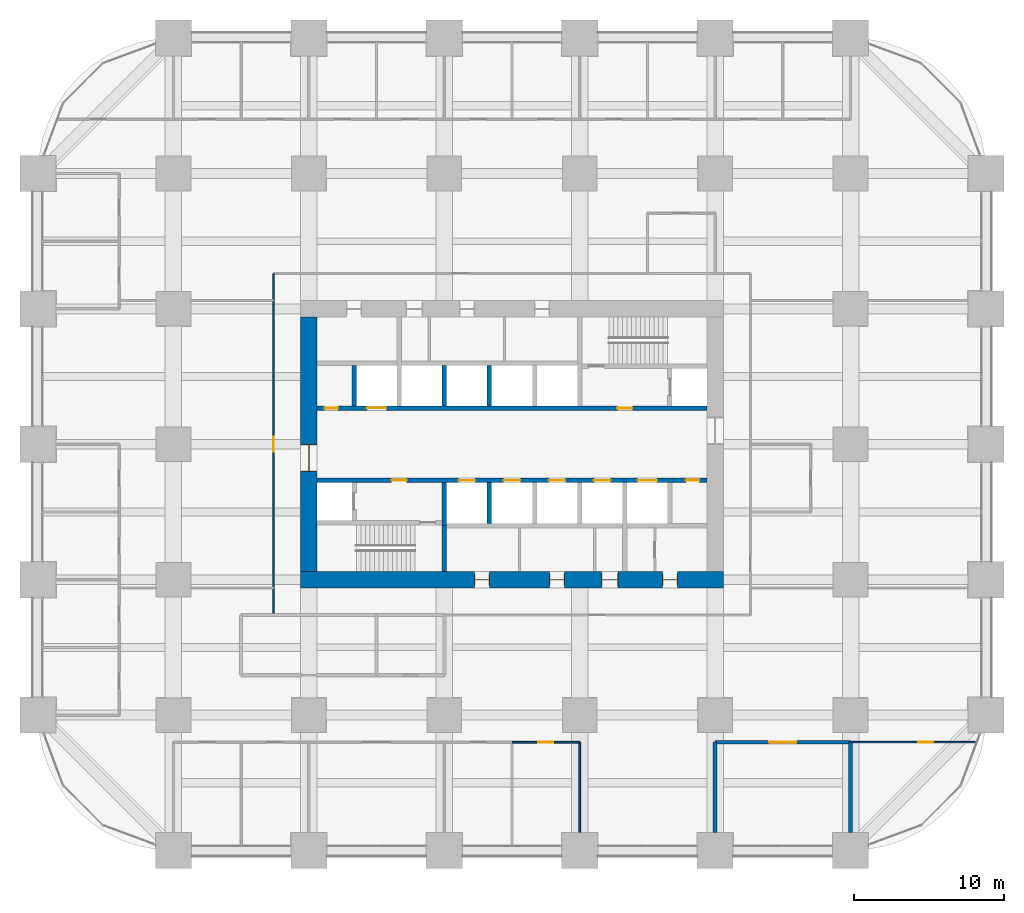
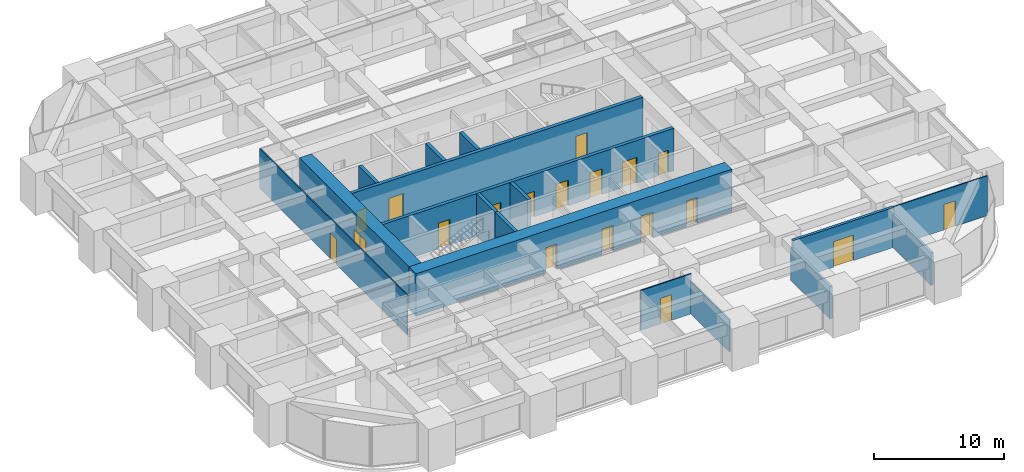
# One storey, part 40 of 44: 19 doors, 17 walls, 19 openings.
"""IFC4 building model written with IfcOpenShell, lengths in metres."""

from ifc_helpers import new_model, si_unit, direction, frame, frame_2d, origin, place, context, subcontext, project, spatial, rectangle, extrude, material, layer, layer_set, type_object, element, fill, save


model = new_model("IFC4")

# Units and contexts
model_context = context("Model", 3, precision=1e-05, world=origin(), true_north=direction((0.0, 1.0)))
body_context = subcontext(model_context, "Body", "Model", "MODEL_VIEW")
ifc_project = project(units=[si_unit("LENGTHUNIT", "METRE"), si_unit("AREAUNIT", "SQUARE_METRE"), si_unit("VOLUMEUNIT", "CUBIC_METRE"), si_unit("PLANEANGLEUNIT", "RADIAN"), si_unit("MASSUNIT", "GRAM", prefix="KILO")], contexts=[model_context])

# Site, building, storey
site_placement = place(None, origin())
site = spatial("IfcSite", under=ifc_project, at=site_placement, CompositionType="ELEMENT")
building_placement = place(site_placement, origin())
building = spatial("IfcBuilding", under=site, at=building_placement, Name="Zorevar Civic Tower", CompositionType="ELEMENT")
storey_placement = place(building_placement, frame((0.0, 0.0, 31.800048828125)))
storey = spatial("IfcBuildingStorey", under=building, at=storey_placement, Name="L07", CompositionType="ELEMENT", Elevation=31.800048828125)

# Wall, opening, door
ifc_material_1 = material(Name="Twin-stud acoustic wall, gypsum board")
ifc_layer_1 = layer(ifc_material_1, 0.25)
ifc_layer_set_1 = layer_set([ifc_layer_1], Name="Acoustic wall 250")
wall_type_1 = type_object("IfcWallType", Name="Acoustic wall 250", PredefinedType="PARTITIONING", material=ifc_layer_set_1)
wall_1_placement = place(storey_placement, frame((45.0, 7.199951171875, 0.0), z_axis=(0.0, 0.0, 1.0), x_axis=(1.0, 0.0, 0.0)))
wall_1 = element("IfcWall", 1, at=wall_1_placement, inside=storey, type_object=wall_type_1, Name="Acoustic wall 250 L07", PredefinedType="PARTITIONING", context=body_context, shape_type="SweptSolid", body=[
    extrude(rectangle(XDim=9.0, YDim=0.25, at=frame_2d((4.5, 0.0))), origin(), (0.0, 0.0, 1.0), 3.75),
])
opening_1_placement = place(wall_1_placement, frame((3.60009765625, 0.0, 0.0)))
opening_1 = element("IfcOpeningElement", 2, at=opening_1_placement, cuts=wall_1, Name="Opening L07.17", PredefinedType="OPENING", context=body_context, shape_type="SweptSolid", body=[
    extrude(rectangle(XDim=1.800048828125, YDim=2.39990234375, at=frame_2d((0.89990234375, 1.199951171875))), frame((0.0, 0.135009765625, 0.0), z_axis=(0.0, -1.0, 0.0), x_axis=(1.0, 0.0, 0.0)), (0.0, 0.0, 1.0), 0.27001953125),
])
ifc_material_2 = material(Name="Steel door set", Category="steel")
door_type_1 = type_object("IfcDoorType", Name="Door D2 1800x2400", OperationType="DOUBLE_DOOR_SINGLE_SWING", PredefinedType="DOOR", material=ifc_material_2)
door_1_placement = place(opening_1_placement, origin())
door_1 = element("IfcDoor", 3, at=door_1_placement, inside=storey, type_object=door_type_1, Name="Door L07 D1", OperationType="DOUBLE_DOOR_SINGLE_SWING", OverallHeight=2.39990234375, OverallWidth=1.800048828125, PredefinedType="DOOR", context=body_context, shape_type="SweptSolid", body=[
    extrude(rectangle(XDim=1.800048828125, YDim=2.39990234375, at=frame_2d((0.89990234375, 1.199951171875))), frame((0.0, 0.02490234375, 0.0), z_axis=(0.0, -1.0, 0.0), x_axis=(1.0, 0.0, 0.0)), (0.0, 0.0, 1.0), 0.050048828125),
])
fill(opening_1, door_1)

# Walls
for number, where, z_axis, x_axis, name in (
    (4, (45.0, 1.199951171875, 0.0), (0.0, 0.0, 1.0), (0.0, 1.0, 0.0), "Acoustic wall 250 L07"),
    (5, (54.0, 1.199951171875, 0.0), (0.0, 0.0, 1.0), (0.0, 1.0, 0.0), "Acoustic wall 250 L07"),
):
    element("IfcWall", number, at=place(storey_placement, frame(where, z_axis=z_axis, x_axis=x_axis)), inside=storey, type_object=wall_type_1, Name=name, PredefinedType="PARTITIONING", context=body_context, shape_type="SweptSolid", body=[
        extrude(rectangle(XDim=6.0, YDim=0.25, at=frame_2d((3.0, 0.0))), origin(), (0.0, 0.0, 1.0), 3.050048828125),
    ])

# Wall, openings, doors
ifc_material_3 = material(Name="Concrete C50/60", Category="concrete")
ifc_layer_2 = layer(ifc_material_3, 1.10009765625)
ifc_layer_set_2 = layer_set([ifc_layer_2], Name="Core wall 1100")
wall_type_2 = type_object("IfcWallType", Name="Core wall 1100", PredefinedType="SHEAR", material=ifc_layer_set_2)
wall_2_placement = place(storey_placement, frame((17.449951171875, 18.0, 0.0), z_axis=(0.0, 0.0, 1.0), x_axis=(1.0, 0.0, 0.0)))
wall_2 = element("IfcWall", 6, at=wall_2_placement, inside=storey, type_object=wall_type_2, Name="Core wall S L07", PredefinedType="SHEAR", context=body_context, shape_type="SweptSolid", body=[
    extrude(rectangle(XDim=28.10009765625, YDim=1.10009765625, at=frame_2d((14.050048828125, 0.0))), origin(), (0.0, 0.0, 1.0), 4.0),
])
opening_2_placement = place(wall_2_placement, frame((11.550048828125, 0.0, 0.0)))
opening_2 = element("IfcOpeningElement", 7, at=opening_2_placement, cuts=wall_2, Name="Opening L07.03", PredefinedType="OPENING", context=body_context, shape_type="SweptSolid", body=[
    extrude(rectangle(XDim=1.0, YDim=2.39990234375, at=frame_2d((0.5, 1.199951171875))), frame((0.0, 0.56005859375, 0.0), z_axis=(0.0, -1.0, 0.0), x_axis=(1.0, 0.0, 0.0)), (0.0, 0.0, 1.0), 1.1201171875),
])
opening_3_placement = place(wall_2_placement, frame((16.550048828125, 0.0, 0.0)))
opening_3 = element("IfcOpeningElement", 8, at=opening_3_placement, cuts=wall_2, Name="Opening L07.04", PredefinedType="OPENING", context=body_context, shape_type="SweptSolid", body=[
    extrude(rectangle(XDim=1.0, YDim=2.39990234375, at=frame_2d((0.5, 1.199951171875))), frame((0.0, 0.56005859375, 0.0), z_axis=(0.0, -1.0, 0.0), x_axis=(1.0, 0.0, 0.0)), (0.0, 0.0, 1.0), 1.1201171875),
])
opening_4_placement = place(wall_2_placement, frame((20.0, 0.0, 0.0)))
opening_4 = element("IfcOpeningElement", 9, at=opening_4_placement, cuts=wall_2, Name="Opening L07.05", PredefinedType="OPENING", context=body_context, shape_type="SweptSolid", body=[
    extrude(rectangle(XDim=1.10009765625, YDim=2.39990234375, at=frame_2d((0.550048828125, 1.199951171875))), frame((0.0, 0.56005859375, 0.0), z_axis=(0.0, -1.0, 0.0), x_axis=(1.0, 0.0, 0.0)), (0.0, 0.0, 1.0), 1.1201171875),
])
opening_5_placement = place(wall_2_placement, frame((24.050048828125, 0.0, 0.0)))
opening_5 = element("IfcOpeningElement", 10, at=opening_5_placement, cuts=wall_2, Name="Opening L07.06", PredefinedType="OPENING", context=body_context, shape_type="SweptSolid", body=[
    extrude(rectangle(XDim=1.0, YDim=2.39990234375, at=frame_2d((0.5, 1.199951171875))), frame((0.0, 0.56005859375, 0.0), z_axis=(0.0, -1.0, 0.0), x_axis=(1.0, 0.0, 0.0)), (0.0, 0.0, 1.0), 1.1201171875),
])
ifc_material_4 = material(Name="Timber door set", Category="wood")
door_type_2 = type_object("IfcDoorType", Name="Door D1 1000x2400", OperationType="SINGLE_SWING_LEFT", PredefinedType="DOOR", material=ifc_material_4)
door_2_placement = place(opening_2_placement, origin())
door_2 = element("IfcDoor", 11, at=door_2_placement, inside=storey, type_object=door_type_2, Name="Door L07 02", OperationType="SINGLE_SWING_RIGHT", OverallHeight=2.39990234375, OverallWidth=1.0, PredefinedType="DOOR", context=body_context, shape_type="SweptSolid", body=[
    extrude(rectangle(XDim=1.0, YDim=2.39990234375, at=frame_2d((0.5, 1.199951171875))), frame((0.0, 0.02490234375, 0.0), z_axis=(0.0, -1.0, 0.0), x_axis=(1.0, 0.0, 0.0)), (0.0, 0.0, 1.0), 0.050048828125),
    extrude(rectangle(XDim=0.04, YDim=2.39990234375, at=frame_2d((0.02001953125, 1.199951171875))), frame((0.0, 0.39990234375, 0.0), z_axis=(0.0, -1.0, 0.0), x_axis=(1.0, 0.0, 0.0)), (0.0, 0.0, 1.0), 0.800048828125),
    extrude(rectangle(XDim=0.04, YDim=2.39990234375, at=frame_2d((0.97998046875, 1.199951171875))), frame((0.0, 0.39990234375, 0.0), z_axis=(0.0, -1.0, 0.0), x_axis=(1.0, 0.0, 0.0)), (0.0, 0.0, 1.0), 0.800048828125),
    extrude(rectangle(XDim=1.0, YDim=0.04, at=frame_2d((0.5, 2.3798828125))), frame((0.0, 0.39990234375, 0.0), z_axis=(0.0, -1.0, 0.0), x_axis=(1.0, 0.0, 0.0)), (0.0, 0.0, 1.0), 0.800048828125),
])
fill(opening_2, door_2)
door_3_placement = place(opening_3_placement, origin())
door_3 = element("IfcDoor", 12, at=door_3_placement, inside=storey, type_object=door_type_2, Name="Door L07 03", OperationType="SINGLE_SWING_LEFT", OverallHeight=2.39990234375, OverallWidth=1.0, PredefinedType="DOOR", context=body_context, shape_type="SweptSolid", body=[
    extrude(rectangle(XDim=1.0, YDim=2.39990234375, at=frame_2d((0.5, 1.199951171875))), frame((0.0, 0.02490234375, 0.0), z_axis=(0.0, -1.0, 0.0), x_axis=(1.0, 0.0, 0.0)), (0.0, 0.0, 1.0), 0.050048828125),
    extrude(rectangle(XDim=0.04, YDim=2.39990234375, at=frame_2d((0.02001953125, 1.199951171875))), frame((0.0, 0.39990234375, 0.0), z_axis=(0.0, -1.0, 0.0), x_axis=(1.0, 0.0, 0.0)), (0.0, 0.0, 1.0), 0.800048828125),
    extrude(rectangle(XDim=0.04, YDim=2.39990234375, at=frame_2d((0.97998046875, 1.199951171875))), frame((0.0, 0.39990234375, 0.0), z_axis=(0.0, -1.0, 0.0), x_axis=(1.0, 0.0, 0.0)), (0.0, 0.0, 1.0), 0.800048828125),
    extrude(rectangle(XDim=1.0, YDim=0.04, at=frame_2d((0.5, 2.3798828125))), frame((0.0, 0.39990234375, 0.0), z_axis=(0.0, -1.0, 0.0), x_axis=(1.0, 0.0, 0.0)), (0.0, 0.0, 1.0), 0.800048828125),
])
fill(opening_3, door_3)
door_4_placement = place(opening_5_placement, origin())
door_4 = element("IfcDoor", 13, at=door_4_placement, inside=storey, type_object=door_type_2, Name="Door L07 05", OperationType="SINGLE_SWING_LEFT", OverallHeight=2.39990234375, OverallWidth=1.0, PredefinedType="DOOR", context=body_context, shape_type="SweptSolid", body=[
    extrude(rectangle(XDim=1.0, YDim=2.39990234375, at=frame_2d((0.5, 1.199951171875))), frame((0.0, 0.02490234375, 0.0), z_axis=(0.0, -1.0, 0.0), x_axis=(1.0, 0.0, 0.0)), (0.0, 0.0, 1.0), 0.050048828125),
    extrude(rectangle(XDim=0.04, YDim=2.39990234375, at=frame_2d((0.02001953125, 1.199951171875))), frame((0.0, 0.39990234375, 0.0), z_axis=(0.0, -1.0, 0.0), x_axis=(1.0, 0.0, 0.0)), (0.0, 0.0, 1.0), 0.800048828125),
    extrude(rectangle(XDim=0.04, YDim=2.39990234375, at=frame_2d((0.97998046875, 1.199951171875))), frame((0.0, 0.39990234375, 0.0), z_axis=(0.0, -1.0, 0.0), x_axis=(1.0, 0.0, 0.0)), (0.0, 0.0, 1.0), 0.800048828125),
    extrude(rectangle(XDim=1.0, YDim=0.04, at=frame_2d((0.5, 2.3798828125))), frame((0.0, 0.39990234375, 0.0), z_axis=(0.0, -1.0, 0.0), x_axis=(1.0, 0.0, 0.0)), (0.0, 0.0, 1.0), 0.800048828125),
])
fill(opening_5, door_4)
ifc_material_5 = material(Name="Timber door set", Category="wood")
door_type_3 = type_object("IfcDoorType", Name="Door D5 1100x2400", OperationType="SINGLE_SWING_LEFT", PredefinedType="DOOR", material=ifc_material_5)
door_5_placement = place(opening_4_placement, origin())
door_5 = element("IfcDoor", 14, at=door_5_placement, inside=storey, type_object=door_type_3, Name="Door L07 04", OperationType="SINGLE_SWING_LEFT", OverallHeight=2.39990234375, OverallWidth=1.10009765625, PredefinedType="DOOR", context=body_context, shape_type="SweptSolid", body=[
    extrude(rectangle(XDim=1.10009765625, YDim=2.39990234375, at=frame_2d((0.550048828125, 1.199951171875))), frame((0.0, 0.02490234375, 0.0), z_axis=(0.0, -1.0, 0.0), x_axis=(1.0, 0.0, 0.0)), (0.0, 0.0, 1.0), 0.050048828125),
    extrude(rectangle(XDim=0.04, YDim=2.39990234375, at=frame_2d((0.02001953125, 1.199951171875))), frame((0.0, 0.43994140625, 0.0), z_axis=(0.0, -1.0, 0.0), x_axis=(1.0, 0.0, 0.0)), (0.0, 0.0, 1.0), 0.880126953125),
    extrude(rectangle(XDim=0.04, YDim=2.39990234375, at=frame_2d((1.080078125, 1.199951171875))), frame((0.0, 0.43994140625, 0.0), z_axis=(0.0, -1.0, 0.0), x_axis=(1.0, 0.0, 0.0)), (0.0, 0.0, 1.0), 0.880126953125),
    extrude(rectangle(XDim=1.10009765625, YDim=0.04, at=frame_2d((0.550048828125, 2.3798828125))), frame((0.0, 0.43994140625, 0.0), z_axis=(0.0, -1.0, 0.0), x_axis=(1.0, 0.0, 0.0)), (0.0, 0.0, 1.0), 0.880126953125),
])
fill(opening_4, door_5)

# Wall, opening, door
wall_3_placement = place(storey_placement, frame((18.0, 35.449951171875, 0.0), z_axis=(0.0, 0.0, 1.0), x_axis=(0.0, -1.0, 0.0)))
wall_3 = element("IfcWall", 15, at=wall_3_placement, inside=storey, type_object=wall_type_2, Name="Core wall W L07", PredefinedType="SHEAR", context=body_context, shape_type="SweptSolid", body=[
    extrude(rectangle(XDim=16.89990234375, YDim=1.10009765625, at=frame_2d((8.449951171875, 0.0))), origin(), (0.0, 0.0, 1.0), 4.0),
])
opening_6_placement = place(wall_3_placement, frame((8.449951171875, 0.0, 0.0)))
opening_6 = element("IfcOpeningElement", 16, at=opening_6_placement, cuts=wall_3, Name="Opening L07.01", PredefinedType="OPENING", context=body_context, shape_type="SweptSolid", body=[
    extrude(rectangle(XDim=1.800048828125, YDim=2.39990234375, at=frame_2d((0.89990234375, 1.199951171875))), frame((0.0, 0.56005859375, 0.0), z_axis=(0.0, -1.0, 0.0), x_axis=(1.0, 0.0, 0.0)), (0.0, 0.0, 1.0), 1.1201171875),
])
ifc_material_6 = material(Name="Steel door set", Category="steel")
door_type_4 = type_object("IfcDoorType", Name="Fire door FD2 1800x2400", OperationType="DOUBLE_DOOR_DOUBLE_SWING", PredefinedType="DOOR", material=ifc_material_6)
door_6_placement = place(opening_6_placement, origin())
door_6 = element("IfcDoor", 17, at=door_6_placement, inside=storey, type_object=door_type_4, Name="Door L07 00", OperationType="DOUBLE_DOOR_DOUBLE_SWING", OverallHeight=2.39990234375, OverallWidth=1.800048828125, PredefinedType="DOOR", context=body_context, shape_type="SweptSolid", body=[
    extrude(rectangle(XDim=1.800048828125, YDim=2.39990234375, at=frame_2d((0.89990234375, 1.199951171875))), frame((0.0, 0.030029296875, 0.0), z_axis=(0.0, -1.0, 0.0), x_axis=(1.0, 0.0, 0.0)), (0.0, 0.0, 1.0), 0.06005859375),
    extrude(rectangle(XDim=0.04, YDim=2.39990234375, at=frame_2d((0.02001953125, 1.199951171875))), frame((0.0, 0.5498046875, 0.0), z_axis=(0.0, -1.0, 0.0), x_axis=(1.0, 0.0, 0.0)), (0.0, 0.0, 1.0), 1.099609375),
    extrude(rectangle(XDim=0.04, YDim=2.39990234375, at=frame_2d((1.780029296875, 1.199951171875))), frame((0.0, 0.5498046875, 0.0), z_axis=(0.0, -1.0, 0.0), x_axis=(1.0, 0.0, 0.0)), (0.0, 0.0, 1.0), 1.099609375),
    extrude(rectangle(XDim=1.800048828125, YDim=0.04, at=frame_2d((0.89990234375, 2.3798828125))), frame((0.0, 0.5498046875, 0.0), z_axis=(0.0, -1.0, 0.0), x_axis=(1.0, 0.0, 0.0)), (0.0, 0.0, 1.0), 1.099609375),
])
fill(opening_6, door_6)

ifc_material_7 = material(Name="Laminated glass in black aluminium frame", Category="aluminium")
ifc_layer_3 = layer(ifc_material_7, 0.10009765625)
ifc_layer_set_3 = layer_set([ifc_layer_3], Name="Glazed partition 100")
wall_type_3 = type_object("IfcWallType", Name="Glazed partition 100", PredefinedType="PARTITIONING", material=ifc_layer_set_3)
wall_4_placement = place(storey_placement, frame((54.0, 7.199951171875, 0.0), z_axis=(0.0, 0.0, 1.0), x_axis=(1.0, 0.0, 0.0)))
wall_4 = element("IfcWall", 18, at=wall_4_placement, inside=storey, type_object=wall_type_3, Name="Glazed partition 100 L07", PredefinedType="PARTITIONING", context=body_context, shape_type="SweptSolid", body=[
    extrude(rectangle(XDim=8.359375, YDim=0.10009765625, at=frame_2d((4.1796875, 0.0))), origin(), (0.0, 0.0, 1.0), 3.75),
])
opening_7_placement = place(wall_4_placement, frame((4.5, 0.0, 0.0)))
opening_7 = element("IfcOpeningElement", 19, at=opening_7_placement, cuts=wall_4, Name="Opening L07.23", PredefinedType="OPENING", context=body_context, shape_type="SweptSolid", body=[
    extrude(rectangle(XDim=1.0, YDim=2.39990234375, at=frame_2d((0.5, 1.199951171875))), frame((0.0, 0.06005859375, 0.0), z_axis=(0.0, -1.0, 0.0), x_axis=(1.0, 0.0, 0.0)), (0.0, 0.0, 1.0), 0.1201171875),
])
ifc_material_8 = material(Name="Timber door set", Category="wood")
door_type_5 = type_object("IfcDoorType", Name="Glazed door GD1 1000x2400", OperationType="SINGLE_SWING_LEFT", PredefinedType="DOOR", material=ifc_material_8)
door_7_placement = place(opening_7_placement, origin())
door_7 = element("IfcDoor", 20, at=door_7_placement, inside=storey, type_object=door_type_5, Name="Door L07 D1", OperationType="SINGLE_SWING_LEFT", OverallHeight=2.39990234375, OverallWidth=1.0, PredefinedType="DOOR", context=body_context, shape_type="SweptSolid", body=[
    extrude(rectangle(XDim=1.0, YDim=2.39990234375, at=frame_2d((0.5, 1.199951171875))), frame((0.0, 0.02001953125, 0.0), z_axis=(0.0, -1.0, 0.0), x_axis=(1.0, 0.0, 0.0)), (0.0, 0.0, 1.0), 0.0400390625),
])
fill(opening_7, door_7)

wall_5_placement = place(storey_placement, frame((15.64990234375, 15.64990234375, 0.0), z_axis=(0.0, 0.0, 1.0), x_axis=(0.0, 1.0, 0.0)))
wall_5 = element("IfcWall", 21, at=wall_5_placement, inside=storey, type_object=wall_type_3, Name="Glazed partition 100 L07", PredefinedType="PARTITIONING", context=body_context, shape_type="SweptSolid", body=[
    extrude(rectangle(XDim=22.7001953125, YDim=0.10009765625, at=frame_2d((11.35009765625, 0.0))), origin(), (0.0, 0.0, 1.0), 3.75),
])
opening_8_placement = place(wall_5_placement, frame((10.85009765625, 0.0, 0.0)))
opening_8 = element("IfcOpeningElement", 22, at=opening_8_placement, cuts=wall_5, Name="Opening L07.46", PredefinedType="OPENING", context=body_context, shape_type="SweptSolid", body=[
    extrude(rectangle(XDim=1.0, YDim=2.39990234375, at=frame_2d((0.5, 1.199951171875))), frame((0.0, 0.06005859375, 0.0), z_axis=(0.0, -1.0, 0.0), x_axis=(1.0, 0.0, 0.0)), (0.0, 0.0, 1.0), 0.1201171875),
])
door_8_placement = place(opening_8_placement, origin())
door_8 = element("IfcDoor", 23, at=door_8_placement, inside=storey, type_object=door_type_5, Name="Door L07 D1", OperationType="SINGLE_SWING_RIGHT", OverallHeight=2.39990234375, OverallWidth=1.0, PredefinedType="DOOR", context=body_context, shape_type="SweptSolid", body=[
    extrude(rectangle(XDim=1.0, YDim=2.39990234375, at=frame_2d((0.5, 1.199951171875))), frame((0.0, 0.02001953125, 0.0), z_axis=(0.0, -1.0, 0.0), x_axis=(1.0, 0.0, 0.0)), (0.0, 0.0, 1.0), 0.0400390625),
])
fill(opening_8, door_8)

# Wall
ifc_material_9 = material(Name="Concrete C40/50", Category="concrete")
ifc_layer_4 = layer(ifc_material_9, 0.300048828125)
ifc_layer_set_4 = layer_set([ifc_layer_4], Name="Inner core wall 300")
wall_type_4 = type_object("IfcWallType", Name="Inner core wall 300", PredefinedType="SHEAR", material=ifc_layer_set_4)
wall_6_placement = place(storey_placement, frame((27.0, 18.550048828125, 0.0), z_axis=(0.0, 0.0, 1.0), x_axis=(0.0, 1.0, 0.0)))
element("IfcWall", 24, at=wall_6_placement, inside=storey, type_object=wall_type_4, Name="Inner core wall S01 L07", PredefinedType="SHEAR", context=body_context, shape_type="SweptSolid", body=[
    extrude(rectangle(XDim=3.050048828125, YDim=0.300048828125, at=frame_2d((1.52490234375, 0.0))), origin(), (0.0, 0.0, 1.0), 4.0),
])

# Wall, openings, doors
wall_7_placement = place(storey_placement, frame((18.550048828125, 24.60009765625, 0.0), z_axis=(0.0, 0.0, 1.0), x_axis=(1.0, 0.0, 0.0)))
wall_7 = element("IfcWall", 25, at=wall_7_placement, inside=storey, type_object=wall_type_4, Name="Inner core wall S03 L07", PredefinedType="SHEAR", context=body_context, shape_type="SweptSolid", body=[
    extrude(rectangle(XDim=25.89990234375, YDim=0.300048828125, at=frame_2d((12.949951171875, 0.0))), origin(), (0.0, 0.0, 1.0), 4.0),
])
opening_9_placement = place(wall_7_placement, frame((4.949951171875, 0.0, 0.0)))
opening_9 = element("IfcOpeningElement", 26, at=opening_9_placement, cuts=wall_7, Name="Opening L07.13", PredefinedType="OPENING", context=body_context, shape_type="SweptSolid", body=[
    extrude(rectangle(XDim=1.0, YDim=2.39990234375, at=frame_2d((0.5, 1.199951171875))), frame((0.0, 0.159912109375, 0.0), z_axis=(0.0, -1.0, 0.0), x_axis=(1.0, 0.0, 0.0)), (0.0, 0.0, 1.0), 0.320068359375),
])
opening_10_placement = place(wall_7_placement, frame((24.5, 0.0, 0.0)))
opening_10 = element("IfcOpeningElement", 27, at=opening_10_placement, cuts=wall_7, Name="Opening L07.15", PredefinedType="OPENING", context=body_context, shape_type="SweptSolid", body=[
    extrude(rectangle(XDim=0.89990234375, YDim=2.10009765625, at=frame_2d((0.449951171875, 1.050048828125))), frame((0.0, 0.159912109375, 0.0), z_axis=(0.0, -1.0, 0.0), x_axis=(1.0, 0.0, 0.0)), (0.0, 0.0, 1.0), 0.320068359375),
])
opening_11_placement = place(wall_7_placement, frame((9.39990234375, 0.0, 0.0)))
opening_11 = element("IfcOpeningElement", 28, at=opening_11_placement, cuts=wall_7, Name="Opening L07.LP1", PredefinedType="OPENING", context=body_context, shape_type="SweptSolid", body=[
    extrude(rectangle(XDim=1.10009765625, YDim=2.39990234375, at=frame_2d((0.550048828125, 1.199951171875))), frame((0.0, 0.159912109375, 0.0), z_axis=(0.0, -1.0, 0.0), x_axis=(1.0, 0.0, 0.0)), (0.0, 0.0, 1.0), 0.320068359375),
])
opening_12_placement = place(wall_7_placement, frame((12.39990234375, 0.0, 0.0)))
opening_12 = element("IfcOpeningElement", 29, at=opening_12_placement, cuts=wall_7, Name="Opening L07.LP2", PredefinedType="OPENING", context=body_context, shape_type="SweptSolid", body=[
    extrude(rectangle(XDim=1.10009765625, YDim=2.39990234375, at=frame_2d((0.550048828125, 1.199951171875))), frame((0.0, 0.159912109375, 0.0), z_axis=(0.0, -1.0, 0.0), x_axis=(1.0, 0.0, 0.0)), (0.0, 0.0, 1.0), 0.320068359375),
])
opening_13_placement = place(wall_7_placement, frame((15.39990234375, 0.0, 0.0)))
opening_13 = element("IfcOpeningElement", 30, at=opening_13_placement, cuts=wall_7, Name="Opening L07.LP3", PredefinedType="OPENING", context=body_context, shape_type="SweptSolid", body=[
    extrude(rectangle(XDim=1.10009765625, YDim=2.39990234375, at=frame_2d((0.550048828125, 1.199951171875))), frame((0.0, 0.159912109375, 0.0), z_axis=(0.0, -1.0, 0.0), x_axis=(1.0, 0.0, 0.0)), (0.0, 0.0, 1.0), 0.320068359375),
])
opening_14_placement = place(wall_7_placement, frame((18.39990234375, 0.0, 0.0)))
opening_14 = element("IfcOpeningElement", 31, at=opening_14_placement, cuts=wall_7, Name="Opening L07.LP4", PredefinedType="OPENING", context=body_context, shape_type="SweptSolid", body=[
    extrude(rectangle(XDim=1.10009765625, YDim=2.39990234375, at=frame_2d((0.550048828125, 1.199951171875))), frame((0.0, 0.159912109375, 0.0), z_axis=(0.0, -1.0, 0.0), x_axis=(1.0, 0.0, 0.0)), (0.0, 0.0, 1.0), 0.320068359375),
])
opening_15_placement = place(wall_7_placement, frame((21.300048828125, 0.0, 0.0)))
opening_15 = element("IfcOpeningElement", 32, at=opening_15_placement, cuts=wall_7, Name="Opening L07.SL1", PredefinedType="OPENING", context=body_context, shape_type="SweptSolid", body=[
    extrude(rectangle(XDim=1.300048828125, YDim=2.39990234375, at=frame_2d((0.64990234375, 1.199951171875))), frame((0.0, 0.159912109375, 0.0), z_axis=(0.0, -1.0, 0.0), x_axis=(1.0, 0.0, 0.0)), (0.0, 0.0, 1.0), 0.320068359375),
])
ifc_material_10 = material(Name="Steel door set", Category="steel")
door_type_6 = type_object("IfcDoorType", Name="Fire door FD1 1000x2400", OperationType="SINGLE_SWING_LEFT", PredefinedType="DOOR", material=ifc_material_10)
door_9_placement = place(opening_9_placement, origin())
door_9 = element("IfcDoor", 33, at=door_9_placement, inside=storey, type_object=door_type_6, Name="Door L07 12", OperationType="SINGLE_SWING_RIGHT", OverallHeight=2.39990234375, OverallWidth=1.0, PredefinedType="DOOR", context=body_context, shape_type="SweptSolid", body=[
    extrude(rectangle(XDim=1.0, YDim=2.39990234375, at=frame_2d((0.5, 1.199951171875))), frame((0.0, 0.030029296875, 0.0), z_axis=(0.0, -1.0, 0.0), x_axis=(1.0, 0.0, 0.0)), (0.0, 0.0, 1.0), 0.06005859375),
])
fill(opening_9, door_9)
ifc_material_11 = material(Name="Steel door set", Category="steel")
door_type_7 = type_object("IfcDoorType", Name="Landing door LD1 1100x2400", OperationType="DOUBLE_DOOR_SLIDING", PredefinedType="DOOR", material=ifc_material_11)
door_10_placement = place(opening_11_placement, origin())
door_10 = element("IfcDoor", 34, at=door_10_placement, inside=storey, type_object=door_type_7, Name="Landing door LP1 L07", OperationType="DOUBLE_DOOR_SLIDING", OverallHeight=2.39990234375, OverallWidth=1.10009765625, PredefinedType="DOOR", context=body_context, shape_type="SweptSolid", body=[
    extrude(rectangle(XDim=1.10009765625, YDim=2.39990234375, at=frame_2d((0.550048828125, 1.199951171875))), frame((0.0, 0.02001953125, 0.0), z_axis=(0.0, -1.0, 0.0), x_axis=(1.0, 0.0, 0.0)), (0.0, 0.0, 1.0), 0.0400390625),
])
fill(opening_11, door_10)
door_11_placement = place(opening_12_placement, origin())
door_11 = element("IfcDoor", 35, at=door_11_placement, inside=storey, type_object=door_type_7, Name="Landing door LP2 L07", OperationType="DOUBLE_DOOR_SLIDING", OverallHeight=2.39990234375, OverallWidth=1.10009765625, PredefinedType="DOOR", context=body_context, shape_type="SweptSolid", body=[
    extrude(rectangle(XDim=1.10009765625, YDim=2.39990234375, at=frame_2d((0.550048828125, 1.199951171875))), frame((0.0, 0.02001953125, 0.0), z_axis=(0.0, -1.0, 0.0), x_axis=(1.0, 0.0, 0.0)), (0.0, 0.0, 1.0), 0.0400390625),
])
fill(opening_12, door_11)
door_12_placement = place(opening_13_placement, origin())
door_12 = element("IfcDoor", 36, at=door_12_placement, inside=storey, type_object=door_type_7, Name="Landing door LP3 L07", OperationType="DOUBLE_DOOR_SLIDING", OverallHeight=2.39990234375, OverallWidth=1.10009765625, PredefinedType="DOOR", context=body_context, shape_type="SweptSolid", body=[
    extrude(rectangle(XDim=1.10009765625, YDim=2.39990234375, at=frame_2d((0.550048828125, 1.199951171875))), frame((0.0, 0.02001953125, 0.0), z_axis=(0.0, -1.0, 0.0), x_axis=(1.0, 0.0, 0.0)), (0.0, 0.0, 1.0), 0.0400390625),
])
fill(opening_13, door_12)
door_13_placement = place(opening_14_placement, origin())
door_13 = element("IfcDoor", 37, at=door_13_placement, inside=storey, type_object=door_type_7, Name="Landing door LP4 L07", OperationType="DOUBLE_DOOR_SLIDING", OverallHeight=2.39990234375, OverallWidth=1.10009765625, PredefinedType="DOOR", context=body_context, shape_type="SweptSolid", body=[
    extrude(rectangle(XDim=1.10009765625, YDim=2.39990234375, at=frame_2d((0.550048828125, 1.199951171875))), frame((0.0, 0.02001953125, 0.0), z_axis=(0.0, -1.0, 0.0), x_axis=(1.0, 0.0, 0.0)), (0.0, 0.0, 1.0), 0.0400390625),
])
fill(opening_14, door_13)
ifc_material_12 = material(Name="Steel door set", Category="steel")
door_type_8 = type_object("IfcDoorType", Name="Landing door LD2 1300x2400", OperationType="DOUBLE_DOOR_SLIDING", PredefinedType="DOOR", material=ifc_material_12)
door_14_placement = place(opening_15_placement, origin())
door_14 = element("IfcDoor", 38, at=door_14_placement, inside=storey, type_object=door_type_8, Name="Landing door SL1 L07", OperationType="DOUBLE_DOOR_SLIDING", OverallHeight=2.39990234375, OverallWidth=1.300048828125, PredefinedType="DOOR", context=body_context, shape_type="SweptSolid", body=[
    extrude(rectangle(XDim=1.300048828125, YDim=2.39990234375, at=frame_2d((0.64990234375, 1.199951171875))), frame((0.0, 0.02001953125, 0.0), z_axis=(0.0, -1.0, 0.0), x_axis=(1.0, 0.0, 0.0)), (0.0, 0.0, 1.0), 0.0400390625),
])
fill(opening_15, door_14)
ifc_material_13 = material(Name="Steel door set", Category="steel")
door_type_9 = type_object("IfcDoorType", Name="Riser door RD1 900x2100", OperationType="SINGLE_SWING_LEFT", PredefinedType="DOOR", material=ifc_material_13)
door_15_placement = place(opening_10_placement, origin())
door_15 = element("IfcDoor", 39, at=door_15_placement, inside=storey, type_object=door_type_9, Name="Door L07 14", OperationType="SINGLE_SWING_RIGHT", OverallHeight=2.10009765625, OverallWidth=0.89990234375, PredefinedType="DOOR", context=body_context, shape_type="SweptSolid", body=[
    extrude(rectangle(XDim=0.89990234375, YDim=2.10009765625, at=frame_2d((0.449951171875, 1.050048828125))), frame((0.0, 0.030029296875, 0.0), z_axis=(0.0, -1.0, 0.0), x_axis=(1.0, 0.0, 0.0)), (0.0, 0.0, 1.0), 0.06005859375),
])
fill(opening_10, door_15)

wall_8_placement = place(storey_placement, frame((18.550048828125, 29.39990234375, 0.0), z_axis=(0.0, 0.0, 1.0), x_axis=(1.0, 0.0, 0.0)))
wall_8 = element("IfcWall", 40, at=wall_8_placement, inside=storey, type_object=wall_type_4, Name="Inner core wall N03 L07", PredefinedType="SHEAR", context=body_context, shape_type="SweptSolid", body=[
    extrude(rectangle(XDim=25.89990234375, YDim=0.300048828125, at=frame_2d((12.949951171875, 0.0))), origin(), (0.0, 0.0, 1.0), 4.0),
])
opening_16_placement = place(wall_8_placement, frame((19.949951171875, 0.0, 0.0)))
opening_16 = element("IfcOpeningElement", 41, at=opening_16_placement, cuts=wall_8, Name="Opening L07.14", PredefinedType="OPENING", context=body_context, shape_type="SweptSolid", body=[
    extrude(rectangle(XDim=1.0, YDim=2.39990234375, at=frame_2d((0.5, 1.199951171875))), frame((0.0, 0.159912109375, 0.0), z_axis=(0.0, -1.0, 0.0), x_axis=(1.0, 0.0, 0.0)), (0.0, 0.0, 1.0), 0.320068359375),
])
opening_17_placement = place(wall_8_placement, frame((0.5, 0.0, 0.0)))
opening_17 = element("IfcOpeningElement", 42, at=opening_17_placement, cuts=wall_8, Name="Opening L07.16", PredefinedType="OPENING", context=body_context, shape_type="SweptSolid", body=[
    extrude(rectangle(XDim=0.89990234375, YDim=2.10009765625, at=frame_2d((0.449951171875, 1.050048828125))), frame((0.0, 0.159912109375, 0.0), z_axis=(0.0, -1.0, 0.0), x_axis=(1.0, 0.0, 0.0)), (0.0, 0.0, 1.0), 0.320068359375),
])
opening_18_placement = place(wall_8_placement, frame((3.300048828125, 0.0, 0.0)))
opening_18 = element("IfcOpeningElement", 43, at=opening_18_placement, cuts=wall_8, Name="Opening L07.SL2", PredefinedType="OPENING", context=body_context, shape_type="SweptSolid", body=[
    extrude(rectangle(XDim=1.300048828125, YDim=2.39990234375, at=frame_2d((0.64990234375, 1.199951171875))), frame((0.0, 0.159912109375, 0.0), z_axis=(0.0, -1.0, 0.0), x_axis=(1.0, 0.0, 0.0)), (0.0, 0.0, 1.0), 0.320068359375),
])
door_16_placement = place(opening_16_placement, origin())
door_16 = element("IfcDoor", 44, at=door_16_placement, inside=storey, type_object=door_type_6, Name="Door L07 13", OperationType="SINGLE_SWING_RIGHT", OverallHeight=2.39990234375, OverallWidth=1.0, PredefinedType="DOOR", context=body_context, shape_type="SweptSolid", body=[
    extrude(rectangle(XDim=1.0, YDim=2.39990234375, at=frame_2d((0.5, 1.199951171875))), frame((0.0, 0.030029296875, 0.0), z_axis=(0.0, -1.0, 0.0), x_axis=(1.0, 0.0, 0.0)), (0.0, 0.0, 1.0), 0.06005859375),
])
fill(opening_16, door_16)
door_17_placement = place(opening_18_placement, origin())
door_17 = element("IfcDoor", 45, at=door_17_placement, inside=storey, type_object=door_type_8, Name="Landing door SL2 L07", OperationType="DOUBLE_DOOR_SLIDING", OverallHeight=2.39990234375, OverallWidth=1.300048828125, PredefinedType="DOOR", context=body_context, shape_type="SweptSolid", body=[
    extrude(rectangle(XDim=1.300048828125, YDim=2.39990234375, at=frame_2d((0.64990234375, 1.199951171875))), frame((0.0, 0.02001953125, 0.0), z_axis=(0.0, -1.0, 0.0), x_axis=(1.0, 0.0, 0.0)), (0.0, 0.0, 1.0), 0.0400390625),
])
fill(opening_18, door_17)
door_18_placement = place(opening_17_placement, origin())
door_18 = element("IfcDoor", 46, at=door_18_placement, inside=storey, type_object=door_type_9, Name="Door L07 15", OperationType="SINGLE_SWING_RIGHT", OverallHeight=2.10009765625, OverallWidth=0.89990234375, PredefinedType="DOOR", context=body_context, shape_type="SweptSolid", body=[
    extrude(rectangle(XDim=0.89990234375, YDim=2.10009765625, at=frame_2d((0.449951171875, 1.050048828125))), frame((0.0, 0.030029296875, 0.0), z_axis=(0.0, -1.0, 0.0), x_axis=(1.0, 0.0, 0.0)), (0.0, 0.0, 1.0), 0.06005859375),
])
fill(opening_17, door_18)

# Walls
for number, where, z_axis, x_axis, name in (
    (47, (30.0, 21.75, 0.0), (0.0, 0.0, 1.0), (0.0, 1.0, 0.0), "Inner core wall S05 L07"),
    (48, (30.0, 29.550048828125, 0.0), (0.0, 0.0, 1.0), (0.0, 1.0, 0.0), "Inner core wall N06 L07"),
    (49, (27.0, 29.550048828125, 0.0), (0.0, 0.0, 1.0), (0.0, 1.0, 0.0), "Inner core wall N07 L07"),
    (50, (21.0, 29.550048828125, 0.0), (0.0, 0.0, 1.0), (0.0, 1.0, 0.0), "Inner core wall N09 L07"),
):
    element("IfcWall", number, at=place(storey_placement, frame(where, z_axis=z_axis, x_axis=x_axis)), inside=storey, type_object=wall_type_4, Name=name, PredefinedType="SHEAR", context=body_context, shape_type="SweptSolid", body=[
        extrude(rectangle(XDim=2.699951171875, YDim=0.300048828125, at=frame_2d((1.35009765625, 0.0))), origin(), (0.0, 0.0, 1.0), 4.0),
    ])
wall_9_placement = place(storey_placement, frame((27.0, 21.60009765625, 0.0), z_axis=(0.0, 0.0, 1.0), x_axis=(0.0, 1.0, 0.0)))
element("IfcWall", 51, at=wall_9_placement, inside=storey, type_object=wall_type_4, Name="Inner core wall S10 L07", PredefinedType="SHEAR", context=body_context, shape_type="SweptSolid", body=[
    extrude(rectangle(XDim=2.849853515625, YDim=0.300048828125, at=frame_2d((1.4248046875, 0.0))), origin(), (0.0, 0.0, 1.0), 4.0),
])

# Wall, opening, door
ifc_material_14 = material(Name="Gypsum board on steel studs", Category="steel")
ifc_layer_5 = layer(ifc_material_14, 0.1201171875)
ifc_layer_set_5 = layer_set([ifc_layer_5], Name="Partition 120")
wall_type_5 = type_object("IfcWallType", Name="Partition 120", PredefinedType="PARTITIONING", material=ifc_layer_set_5)
wall_10_placement = place(storey_placement, frame((31.5, 7.199951171875, 0.0), z_axis=(0.0, 0.0, 1.0), x_axis=(1.0, 0.0, 0.0)))
wall_10 = element("IfcWall", 52, at=wall_10_placement, inside=storey, type_object=wall_type_5, Name="Partition 120 L07", PredefinedType="PARTITIONING", context=body_context, shape_type="SweptSolid", body=[
    extrude(rectangle(XDim=4.5, YDim=0.1201171875, at=frame_2d((2.25, 0.0))), origin(), (0.0, 0.0, 1.0), 3.75),
])
opening_19_placement = place(wall_10_placement, frame((1.75, 0.0, 0.0)))
opening_19 = element("IfcOpeningElement", 53, at=opening_19_placement, cuts=wall_10, Name="Opening L07.22", PredefinedType="OPENING", context=body_context, shape_type="SweptSolid", body=[
    extrude(rectangle(XDim=1.0, YDim=2.39990234375, at=frame_2d((0.5, 1.199951171875))), frame((0.0, 0.070068359375, 0.0), z_axis=(0.0, -1.0, 0.0), x_axis=(1.0, 0.0, 0.0)), (0.0, 0.0, 1.0), 0.14013671875),
])
door_19_placement = place(opening_19_placement, origin())
door_19 = element("IfcDoor", 54, at=door_19_placement, inside=storey, type_object=door_type_2, Name="Door L07 D1", OperationType="SINGLE_SWING_LEFT", OverallHeight=2.39990234375, OverallWidth=1.0, PredefinedType="DOOR", context=body_context, shape_type="SweptSolid", body=[
    extrude(rectangle(XDim=1.0, YDim=2.39990234375, at=frame_2d((0.5, 1.199951171875))), frame((0.0, 0.02490234375, 0.0), z_axis=(0.0, -1.0, 0.0), x_axis=(1.0, 0.0, 0.0)), (0.0, 0.0, 1.0), 0.050048828125),
])
fill(opening_19, door_19)

# Wall
wall_11_placement = place(storey_placement, frame((36.0, 1.199951171875, 0.0), z_axis=(0.0, 0.0, 1.0), x_axis=(0.0, 1.0, 0.0)))
element("IfcWall", 55, at=wall_11_placement, inside=storey, type_object=wall_type_5, Name="Partition 120 L07", PredefinedType="PARTITIONING", context=body_context, shape_type="SweptSolid", body=[
    extrude(rectangle(XDim=6.0, YDim=0.1201171875, at=frame_2d((3.0, 0.0))), origin(), (0.0, 0.0, 1.0), 3.050048828125),
])

save(model, "model.ifc")
